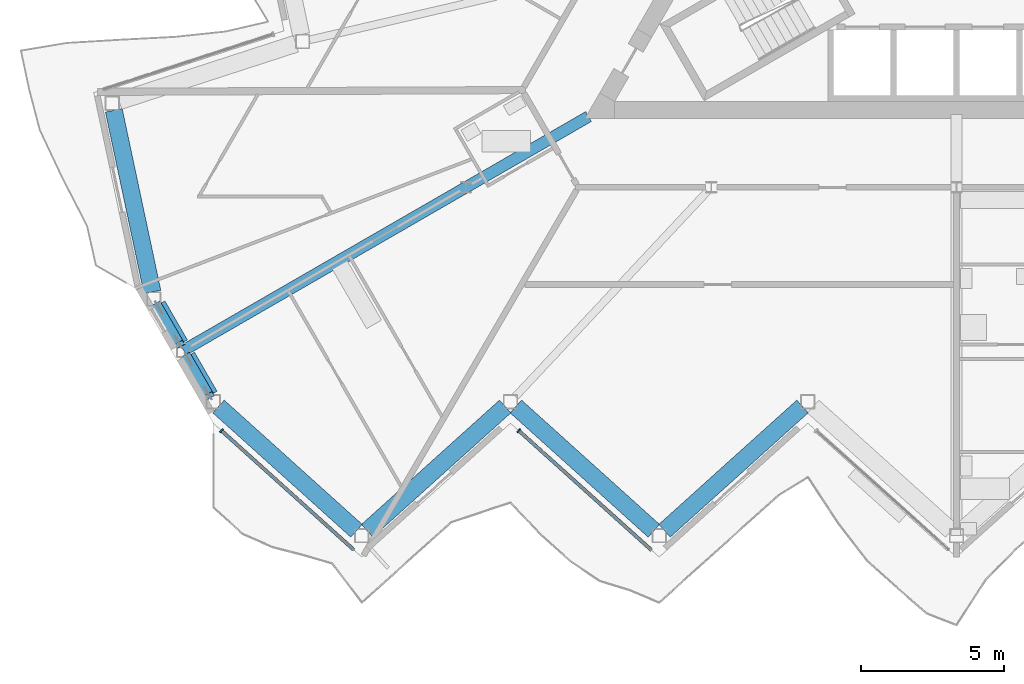
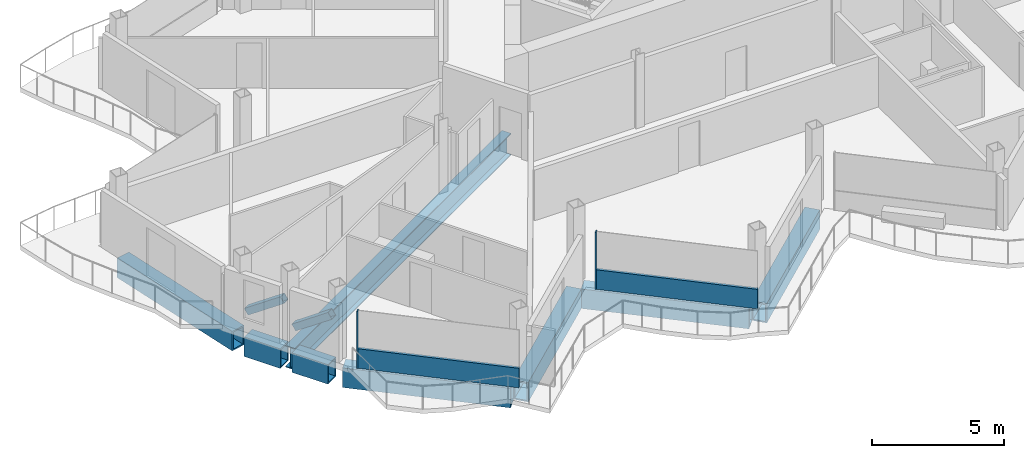
# One storey, part 4 of 27: 7 beams, 7 members, 2 elements without a shape of their own.
"""IFC4 building model written with IfcOpenShell, lengths in metres."""

from ifc_helpers import new_model, si_unit, direction, frame, origin, origin_2d, place, context, subcontext, project, spatial, rectangle, hollow_rectangle, i_section, extrude, material, layer, layer_set, material_profile, profile_set, type_object, element, aggregate, save


model = new_model("IFC4")

# Units and contexts
model_context = context("Model", 3, precision=1e-05, world=origin(), true_north=direction((0.0, 1.0)))
body_context = subcontext(model_context, "Body", "Model", "MODEL_VIEW")
ifc_project = project(units=[si_unit("LENGTHUNIT", "METRE"), si_unit("AREAUNIT", "SQUARE_METRE"), si_unit("VOLUMEUNIT", "CUBIC_METRE"), si_unit("PLANEANGLEUNIT", "RADIAN"), si_unit("MASSUNIT", "GRAM", prefix="KILO")], contexts=[model_context])

# Site, building, storey
site_placement = place(None, origin())
site = spatial("IfcSite", under=ifc_project, at=site_placement, CompositionType="ELEMENT")
building_placement = place(site_placement, origin())
building = spatial("IfcBuilding", under=site, at=building_placement, Name="Cormorant Prow Tower", CompositionType="ELEMENT")
storey_placement = place(building_placement, frame((0.0, 0.0, 361.0)))
storey = spatial("IfcBuildingStorey", under=building, at=storey_placement, Name="L80", CompositionType="ELEMENT", Elevation=361.0)

# Beams
ifc_material_1 = material(Name="Structural steel ASTM A572 Gr 50", Category="steel")
ifc_material_profile_1 = material_profile(ifc_material_1, hollow_rectangle(XDim=0.60009765625, YDim=0.89990234375, WallThickness=0.06005859375, at=origin_2d()), Name="Box 900x600x60")
ifc_profile_set_1 = profile_set([ifc_material_profile_1], Name="Structural steel ASTM A572 Gr 50")
beam_type = type_object("IfcBeamType", Name="Belt truss top chord 900x600x60", PredefinedType="BEAM", material=ifc_profile_set_1)
for number, where, z_axis, x_axis, name in (
    (1, (-25.814208984375, -17.572998046875, -0.75), (0.743131573737, -0.669145323614, 0.0), (0.669145323614, 0.743131573737, 0.0), "Belt truss top chord TC2 S00-S01 L80"),
    (2, (-20.6142578125, -21.920654296875, -0.75), (0.743131573737, 0.669145323614, 0.0), (-0.669145323614, 0.743131573737, 0.0), "Belt truss top chord TC2 S01-S02 L80"),
):
    element("IfcBeam", number, at=place(storey_placement, frame(where, z_axis=z_axis, x_axis=x_axis)), inside=storey, type_object=beam_type, Name=name, PredefinedType="BEAM", context=body_context, shape_type="SweptSolid", body=[
        extrude(hollow_rectangle(XDim=0.60009765625, YDim=0.89990234375, WallThickness=0.06005859375, at=origin_2d()), origin(), (0.0, 0.0, 1.0), 6.497314453125),
    ])
beam_1_placement = place(storey_placement, frame((-15.414306640625, -17.572998046875, -0.75), z_axis=(0.743148397689, -0.669126638995, 0.0), x_axis=(0.669126638995, 0.743148397689, 0.0)))
element("IfcBeam", 3, at=beam_1_placement, inside=storey, type_object=beam_type, Name="Belt truss top chord TC2 S02-S03 L80", PredefinedType="BEAM", context=body_context, shape_type="SweptSolid", body=[
    extrude(hollow_rectangle(XDim=0.60009765625, YDim=0.89990234375, WallThickness=0.06005859375, at=origin_2d()), origin(), (0.0, 0.0, 1.0), 6.49755859375),
])
beam_2_placement = place(storey_placement, frame((-10.214111328125, -21.920654296875, -0.75), z_axis=(0.743131573737, 0.669145323614, 0.0), x_axis=(-0.669145323614, 0.743131573737, 0.0)))
element("IfcBeam", 4, at=beam_2_placement, inside=storey, type_object=beam_type, Name="Belt truss top chord TC2 S03-S04 L80", PredefinedType="BEAM", context=body_context, shape_type="SweptSolid", body=[
    extrude(hollow_rectangle(XDim=0.60009765625, YDim=0.89990234375, WallThickness=0.06005859375, at=origin_2d()), origin(), (0.0, 0.0, 1.0), 6.497314453125),
])
beam_3_placement = place(storey_placement, frame((-29.4765625, -7.2138671875, -0.75), z_axis=(0.207901897373, -0.978149682344, 0.0), x_axis=(0.978149682344, 0.207901897373, 0.0)))
element("IfcBeam", 5, at=beam_3_placement, inside=storey, type_object=beam_type, Name="Belt truss top chord TC2 WNW09-WSW00 L80", PredefinedType="BEAM", context=body_context, shape_type="SweptSolid", body=[
    extrude(hollow_rectangle(XDim=0.60009765625, YDim=0.89990234375, WallThickness=0.06005859375, at=origin_2d()), origin(), (0.0, 0.0, 1.0), 6.49755859375),
])
for number, where, z_axis, x_axis, name in (
    (6, (-27.94873046875, -14.0302734375, -0.75), (0.499959680857, -0.866048680801, 0.0), (0.866048680801, 0.499959680857, 0.0), "Belt truss top chord TC2 WSW00-WSW01 L80"),
    (7, (-26.911865234375, -15.826171875, -0.75), (0.499959680857, -0.866048680801, 0.0), (0.866048680801, 0.499959680857, 0.0), "Belt truss top chord TC2 WSW01-S00 L80"),
):
    element("IfcBeam", number, at=place(storey_placement, frame(where, z_axis=z_axis, x_axis=x_axis)), inside=storey, type_object=beam_type, Name=name, PredefinedType="BEAM", context=body_context, shape_type="SweptSolid", body=[
        extrude(hollow_rectangle(XDim=0.60009765625, YDim=0.89990234375, WallThickness=0.06005859375, at=origin_2d()), origin(), (0.0, 0.0, 1.0), 1.573974609375),
    ])

# Members
ifc_material_2 = material(Name="Structural steel ASTM A500 Gr C", Category="steel")
ifc_material_profile_2 = material_profile(ifc_material_2, hollow_rectangle(XDim=0.3046875, YDim=0.3046875, WallThickness=0.01171875, at=origin_2d()), Name="HSS12x12x1/2")
ifc_profile_set_2 = profile_set([ifc_material_profile_2], Name="Structural steel ASTM A500 Gr C")
member_type_1 = type_object("IfcMemberType", Name="Chamfer brace HSS12x12x1/2", PredefinedType="BRACE", material=ifc_profile_set_2)
member_1_placement = place(storey_placement, frame((-27.950439453125, -14.027587890625, 0.7705078125), z_axis=(0.411230183851, -0.712282194217, 0.568809117095), x_axis=(0.866028632512, 0.499994407638, 0.0)))
element("IfcMember", 8, at=member_1_placement, inside=storey, type_object=member_type_1, Name="Chamfer brace BR3 at WSW00 L80", PredefinedType="BRACE", context=body_context, shape_type="SweptSolid", body=[
    extrude(hollow_rectangle(XDim=0.3046875, YDim=0.3046875, WallThickness=0.01171875, at=origin_2d()), origin(), (0.0, 0.0, 1.0), 1.921142578125),
])
member_2_placement = place(storey_placement, frame((-26.91357421875, -15.823486328125, 0.7705078125), z_axis=(0.411298537745, -0.71230756954, 0.568727913175), x_axis=(0.866000359435, 0.500043375578, 0.0)))
element("IfcMember", 9, at=member_2_placement, inside=storey, type_object=member_type_1, Name="Chamfer brace BR3 at WSW01 L80", PredefinedType="BRACE", context=body_context, shape_type="SweptSolid", body=[
    extrude(hollow_rectangle(XDim=0.3046875, YDim=0.3046875, WallThickness=0.01171875, at=origin_2d()), origin(), (0.0, 0.0, 1.0), 1.92138671875),
])
ifc_material_3 = material(Name="Structural steel ASTM A992 Gr 50", Category="steel")
ifc_material_profile_3 = material_profile(ifc_material_3, i_section(OverallWidth=0.39990234375, OverallDepth=1.000244140625, WebThickness=0.01904296875, FlangeThickness=0.0361328125, at=origin_2d()), Name="W40x249")
ifc_profile_set_3 = profile_set([ifc_material_profile_3], Name="Structural steel ASTM A992 Gr 50")
member_type_2 = type_object("IfcMemberType", Name="Outrigger chord W40x249", PredefinedType="CHORD", material=ifc_profile_set_3)
member_3_placement = place(storey_placement, frame((-12.8701171875, -7.430419921875, -0.800048828125), z_axis=(-0.8660183213, -0.500012267022, 0.0), x_axis=(0.500012267022, -0.8660183213, 0.0)))
element("IfcMember", 10, at=member_3_placement, inside=storey, type_object=member_type_2, Name="Outrigger top chord 3 L80", PredefinedType="CHORD", context=body_context, shape_type="SweptSolid", body=[
    extrude(i_section(OverallWidth=0.39990234375, OverallDepth=1.000244140625, WebThickness=0.01904296875, FlangeThickness=0.0361328125, at=origin_2d()), origin(), (0.0, 0.0, 1.0), 16.3583984375),
])

# Curtain wall, member
ifc_material_4 = material(Name="Aluminium 6063-T6", Category="aluminium")
ifc_layer = layer(ifc_material_4, 0.159912109375)
ifc_layer_set = layer_set([ifc_layer], Name="Aluminium 6063-T6")
curtain_wall_type = type_object("IfcCurtainWallType", Name="Residential unitised curtain wall 160", PredefinedType="NOTDEFINED", material=ifc_layer_set)
curtain_wall_1_placement = place(storey_placement, origin())
curtain_wall_1 = element("IfcCurtainWall", 11, at=curtain_wall_1_placement, inside=storey, type_object=curtain_wall_type, Name="Residential curtain wall S00", PredefinedType="NOTDEFINED")
ifc_material_5 = material(Name="Aluminium 6063-T6", Category="aluminium")
ifc_material_profile_4 = material_profile(ifc_material_5, rectangle(XDim=0.159912109375, YDim=0.050048828125, at=origin_2d()), Name="Residential mullion 50x160")
ifc_profile_set_4 = profile_set([ifc_material_profile_4], Name="Aluminium 6063-T6")
member_type_3 = type_object("IfcMemberType", Name="Residential mullion 50x160", PredefinedType="MULLION", material=ifc_profile_set_4)
member_4_placement = place(storey_placement, frame((-25.70947265625, -18.4189453125, 0.0), z_axis=(0.0, 0.0, 1.0), x_axis=(0.669130682884, 0.743144756574, 0.0)))
member_4 = element("IfcMember", 12, at=member_4_placement, type_object=member_type_3, Name="Residential mullion S00", PredefinedType="MULLION", context=body_context, shape_type="SweptSolid", body=[
    extrude(rectangle(XDim=0.159912109375, YDim=0.050048828125, at=origin_2d()), origin(), (0.0, 0.0, 1.0), 2.6337890625),
])

curtain_wall_2_placement = place(storey_placement, origin())
curtain_wall_2 = element("IfcCurtainWall", 13, at=curtain_wall_2_placement, inside=storey, type_object=curtain_wall_type, Name="Residential curtain wall S02", PredefinedType="NOTDEFINED")
member_5_placement = place(storey_placement, frame((-15.309326171875, -18.4189453125, 0.0), z_axis=(0.0, 0.0, 1.0), x_axis=(0.669130682884, 0.743144756574, 0.0)))
member_5 = element("IfcMember", 14, at=member_5_placement, type_object=member_type_3, Name="Residential mullion S02", PredefinedType="MULLION", context=body_context, shape_type="SweptSolid", body=[
    extrude(rectangle(XDim=0.159912109375, YDim=0.050048828125, at=origin_2d()), origin(), (0.0, 0.0, 1.0), 2.6337890625),
])

# Member
ifc_material_6 = material(Name="Terracotta", Category="masonry")
ifc_material_profile_5 = material_profile(ifc_material_6, rectangle(XDim=0.1201171875, YDim=0.89990234375, at=origin_2d()), Name="Residential terracotta spandrel rail 120x900")
ifc_profile_set_5 = profile_set([ifc_material_profile_5], Name="Terracotta")
member_type_4 = type_object("IfcMemberType", Name="Residential terracotta spandrel rail 120x900", PredefinedType="USERDEFINED", material=ifc_profile_set_5)
member_6_placement = place(storey_placement, frame((-25.69091796875, -18.435791015625, 0.449951171875), z_axis=(0.743159360055, -0.669114463723, 0.0), x_axis=(0.669114463723, 0.743159360055, 0.0)))
member_6 = element("IfcMember", 15, at=member_6_placement, type_object=member_type_4, Name="Residential spandrel rail S00", ObjectType="TRANSOM", PredefinedType="USERDEFINED", context=body_context, shape_type="SweptSolid", body=[
    extrude(rectangle(XDim=0.1201171875, YDim=0.89990234375, at=origin_2d()), origin(), (0.0, 0.0, 1.0), 6.21533203125),
])

aggregate(curtain_wall_1, [member_4, member_6])

member_7_placement = place(storey_placement, frame((-15.290771484375, -18.435791015625, 0.449951171875), z_axis=(0.743159360055, -0.669114463723, 0.0), x_axis=(0.669114463723, 0.743159360055, 0.0)))
member_7 = element("IfcMember", 16, at=member_7_placement, type_object=member_type_4, Name="Residential spandrel rail S02", ObjectType="TRANSOM", PredefinedType="USERDEFINED", context=body_context, shape_type="SweptSolid", body=[
    extrude(rectangle(XDim=0.1201171875, YDim=0.89990234375, at=origin_2d()), origin(), (0.0, 0.0, 1.0), 6.21533203125),
])

aggregate(curtain_wall_2, [member_5, member_7])

save(model, "model.ifc")
